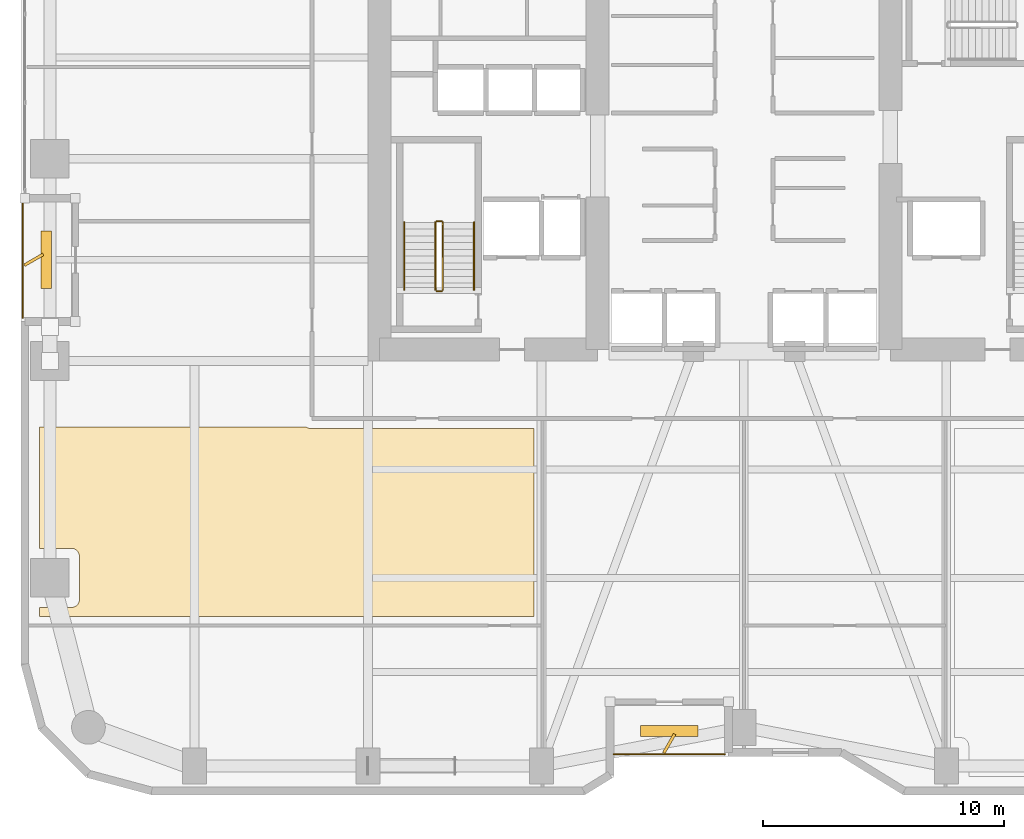
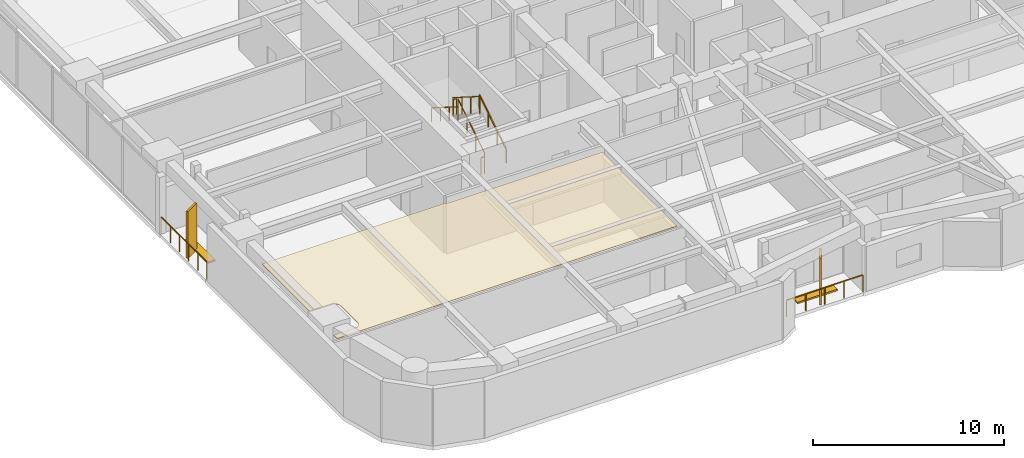
# One storey, part 26 of 28: 8 railings, 4 shading devices, 1 covering.
"""IFC4 building model written with IfcOpenShell, lengths in metres."""

from ifc_helpers import new_model, si_unit, direction, frame, origin, origin_2d, place, context, subcontext, project, spatial, polyline, rectangle, outline, extrude, material, layer, layer_set, type_object, element, save


model = new_model("IFC4")

# Units and contexts
model_context = context("Model", 3, precision=1e-05, world=origin(), true_north=direction((0.0, 1.0)))
body_context = subcontext(model_context, "Body", "Model", "MODEL_VIEW")
ifc_project = project(units=[si_unit("LENGTHUNIT", "METRE"), si_unit("AREAUNIT", "SQUARE_METRE"), si_unit("VOLUMEUNIT", "CUBIC_METRE"), si_unit("PLANEANGLEUNIT", "RADIAN"), si_unit("MASSUNIT", "GRAM", prefix="KILO")], contexts=[model_context])

# Site, building, storey
site_placement = place(None, origin())
site = spatial("IfcSite", under=ifc_project, at=site_placement, CompositionType="ELEMENT")
building_placement = place(site_placement, origin())
building = spatial("IfcBuilding", under=site, at=building_placement, Name="Kiyonajd Concourse Tower", CompositionType="ELEMENT")
storey_placement = place(building_placement, frame((0.0, 0.0, 41.10009765625)))
storey = spatial("IfcBuildingStorey", under=building, at=storey_placement, Name="L11", CompositionType="ELEMENT", Elevation=41.10009765625)

# Covering
ifc_material_1 = material(Name="Natural Oak Acoustic Timber Veneer", Category="wood")
ifc_layer = layer(ifc_material_1, 0.0400390625)
ifc_layer_set = layer_set([ifc_layer], Name="Natural Oak Acoustic Timber Veneer")
covering_type = type_object("IfcCoveringType", Name="CV-CLG-ACST", PredefinedType="CEILING", material=ifc_layer_set)
covering_placement = place(storey_placement, frame((0.0, 0.0, 3.4599609375)))
element("IfcCovering", 1, at=covering_placement, inside=storey, type_object=covering_type, Name="L11-42 Room Acoustic Ceiling", PredefinedType="CEILING", context=body_context, shape_type="SweptSolid", body=[
    extrude(outline(polyline([(29.826904296875, 24.8701171875), (29.882080078125, 24.8359375), (29.945068359375, 24.81005859375), (30.074951171875, 24.7900390625), (39.2900390625, 24.7900390625), (39.2900390625, 17.0), (18.77001953125, 17.0), (18.77001953125, 17.3701171875), (20.080078125, 17.3701171875), (20.14794921875, 17.376953125), (20.2451171875, 17.410888671875), (20.302001953125, 17.448974609375), (20.35107421875, 17.498046875), (20.388916015625, 17.554931640625), (20.4150390625, 17.617919921875), (20.429931640625, 17.719970703125), (20.429931640625, 19.47998046875), (20.4150390625, 19.58203125), (20.388916015625, 19.64501953125), (20.35107421875, 19.701904296875), (20.302001953125, 19.7509765625), (20.2451171875, 19.7890625), (20.181884765625, 19.81494140625), (20.114013671875, 19.827880859375), (18.77001953125, 19.830078125), (18.77001953125, 24.8701171875), (29.826904296875, 24.8701171875)])), origin(), (0.0, 0.0, 1.0), 0.0400390625),
])

# Railings
ifc_material_2 = material(Name="Thermally Broken Anodised Aluminium", Category="aluminium")
railing_type_1 = type_object("IfcRailingType", Name="RL-GRD-LOG", PredefinedType="GUARDRAIL", material=ifc_material_2)
railing_1_placement = place(storey_placement, frame((42.60009765625, 11.280029296875, 0.0)))
element("IfcRailing", 2, at=railing_1_placement, inside=storey, type_object=railing_type_1, Name="L11 Engawa Loggia Perimeter Guard LOG-S", PredefinedType="GUARDRAIL", context=body_context, shape_type="SweptSolid", body=[
    extrude(rectangle(XDim=0.048095703125, YDim=0.048095703125, at=origin_2d()), frame((0.0, 0.0, 1.076171875), z_axis=(1.0, 0.0, 0.0), x_axis=(0.0, 1.0, 0.0)), (0.0, 0.0, 1.0), 4.599853515625),
    extrude(rectangle(XDim=0.0419921875, YDim=0.0419921875, at=origin_2d()), origin(), (0.0, 0.0, 1.0), 1.052001953125),
    extrude(rectangle(XDim=0.0419921875, YDim=0.0419921875, at=origin_2d()), frame((1.14990234375, 0.0, 0.0)), (0.0, 0.0, 1.0), 1.052001953125),
    extrude(rectangle(XDim=0.0419921875, YDim=0.0419921875, at=origin_2d()), frame((2.2998046875, 0.0, 0.0)), (0.0, 0.0, 1.0), 1.052001953125),
    extrude(rectangle(XDim=0.0419921875, YDim=0.0419921875, at=origin_2d()), frame((3.449951171875, 0.0, 0.0)), (0.0, 0.0, 1.0), 1.052001953125),
    extrude(rectangle(XDim=0.0419921875, YDim=0.0419921875, at=origin_2d()), frame((4.599853515625, 0.0, 0.0)), (0.0, 0.0, 1.0), 1.052001953125),
])
railing_2_placement = place(storey_placement, frame((18.080078125, 34.199951171875, 0.0)))
element("IfcRailing", 3, at=railing_2_placement, inside=storey, type_object=railing_type_1, Name="L11 Engawa Loggia Perimeter Guard LOG-W", PredefinedType="GUARDRAIL", context=body_context, shape_type="SweptSolid", body=[
    extrude(rectangle(XDim=0.048095703125, YDim=0.048095703125, at=origin_2d()), frame((0.0, 0.0, 1.076171875), z_axis=(0.0, -1.0, 0.0), x_axis=(1.0, 0.0, 0.0)), (0.0, 0.0, 1.0), 4.800048828125),
    extrude(rectangle(XDim=0.0419921875, YDim=0.0419921875, at=origin_2d()), origin(), (0.0, 0.0, 1.0), 1.052001953125),
    extrude(rectangle(XDim=0.0419921875, YDim=0.0419921875, at=origin_2d()), frame((0.0, -0.9599609375, 0.0)), (0.0, 0.0, 1.0), 1.052001953125),
    extrude(rectangle(XDim=0.0419921875, YDim=0.0419921875, at=origin_2d()), frame((0.0, -1.919921875, 0.0)), (0.0, 0.0, 1.0), 1.052001953125),
    extrude(rectangle(XDim=0.0419921875, YDim=0.0419921875, at=origin_2d()), frame((0.0, -2.880126953125, 0.0)), (0.0, 0.0, 1.0), 1.052001953125),
    extrude(rectangle(XDim=0.0419921875, YDim=0.0419921875, at=origin_2d()), frame((0.0, -3.840087890625, 0.0)), (0.0, 0.0, 1.0), 1.052001953125),
    extrude(rectangle(XDim=0.0419921875, YDim=0.0419921875, at=origin_2d()), frame((0.0, -4.800048828125, 0.0)), (0.0, 0.0, 1.0), 1.052001953125),
])
ifc_material_3 = material(Name="Steel ASTM A500 Grade C", Category="steel")
railing_type_2 = type_object("IfcRailingType", Name="RL-GRD-STR", PredefinedType="GUARDRAIL", material=ifc_material_3)
railing_3_placement = place(storey_placement, frame((35.5, 30.550048828125, 0.17724609375)))
element("IfcRailing", 4, at=railing_3_placement, inside=storey, type_object=railing_type_2, Name="L11 ST1 stair guard 1", PredefinedType="GUARDRAIL", context=body_context, shape_type="SweptSolid", body=[
    extrude(rectangle(XDim=0.048095703125, YDim=0.048095703125, at=origin_2d()), frame((0.0, 0.0, 1.076171875), z_axis=(0.0, 0.844908973607, 0.534910110503), x_axis=(-1.0, 0.0, 0.0)), (0.0, 0.0, 1.0), 3.31396484375),
    extrude(rectangle(XDim=0.0419921875, YDim=0.0419921875, at=origin_2d()), origin(), (0.0, 0.0, 1.0), 1.052001953125),
    extrude(rectangle(XDim=0.0419921875, YDim=0.0419921875, at=origin_2d()), frame((0.0, 0.933349609375, 0.5908203125)), (0.0, 0.0, 1.0), 1.052001953125),
    extrude(rectangle(XDim=0.0419921875, YDim=0.0419921875, at=origin_2d()), frame((0.0, 1.86669921875, 1.181884765625)), (0.0, 0.0, 1.0), 1.052001953125),
    extrude(rectangle(XDim=0.0419921875, YDim=0.0419921875, at=origin_2d()), frame((0.0, 2.800048828125, 1.772705078125)), (0.0, 0.0, 1.0), 1.052001953125),
])
railing_4_placement = place(storey_placement, frame((35.449951171875, 33.39990234375, 1.949951171875)))
element("IfcRailing", 5, at=railing_4_placement, inside=storey, type_object=railing_type_2, Name="L11 ST1 stair guard 2", PredefinedType="GUARDRAIL", context=body_context, shape_type="SweptSolid", body=[
    extrude(rectangle(XDim=0.048095703125, YDim=0.048095703125, at=origin_2d()), frame((0.0, 0.0, 1.076171875), z_axis=(-1.0, 0.0, 0.0), x_axis=(0.0, -1.0, 0.0)), (0.0, 0.0, 1.0), 0.199951171875),
    extrude(rectangle(XDim=0.0419921875, YDim=0.0419921875, at=origin_2d()), origin(), (0.0, 0.0, 1.0), 1.052001953125),
    extrude(rectangle(XDim=0.0419921875, YDim=0.0419921875, at=origin_2d()), frame((-0.199951171875, 0.0, 0.0)), (0.0, 0.0, 1.0), 1.052001953125),
])
railing_5_placement = place(storey_placement, frame((35.199951171875, 33.35009765625, 2.127197265625)))
element("IfcRailing", 6, at=railing_5_placement, inside=storey, type_object=railing_type_2, Name="L11 ST1 stair guard 3", PredefinedType="GUARDRAIL", context=body_context, shape_type="SweptSolid", body=[
    extrude(rectangle(XDim=0.048095703125, YDim=0.048095703125, at=origin_2d()), frame((0.0, 0.0, 1.076171875), z_axis=(0.0, -0.844908973607, 0.534910110503), x_axis=(1.0, 0.0, 0.0)), (0.0, 0.0, 1.0), 3.31396484375),
    extrude(rectangle(XDim=0.0419921875, YDim=0.0419921875, at=origin_2d()), origin(), (0.0, 0.0, 1.0), 1.052001953125),
    extrude(rectangle(XDim=0.0419921875, YDim=0.0419921875, at=origin_2d()), frame((0.0, -0.933349609375, 0.5908203125)), (0.0, 0.0, 1.0), 1.052001953125),
    extrude(rectangle(XDim=0.0419921875, YDim=0.0419921875, at=origin_2d()), frame((0.0, -1.86669921875, 1.181884765625)), (0.0, 0.0, 1.0), 1.052001953125),
    extrude(rectangle(XDim=0.0419921875, YDim=0.0419921875, at=origin_2d()), frame((0.0, -2.800048828125, 1.772705078125)), (0.0, 0.0, 1.0), 1.052001953125),
])
railing_6_placement = place(storey_placement, frame((35.449951171875, 30.5, 0.0)))
element("IfcRailing", 7, at=railing_6_placement, inside=storey, type_object=railing_type_2, Name="L11 ST1 stair guard 4", PredefinedType="GUARDRAIL", context=body_context, shape_type="SweptSolid", body=[
    extrude(rectangle(XDim=0.048095703125, YDim=0.048095703125, at=origin_2d()), frame((0.0, 0.0, 1.076171875), z_axis=(-1.0, 0.0, 0.0), x_axis=(0.0, -1.0, 0.0)), (0.0, 0.0, 1.0), 0.199951171875),
    extrude(rectangle(XDim=0.0419921875, YDim=0.0419921875, at=origin_2d()), origin(), (0.0, 0.0, 1.0), 1.052001953125),
    extrude(rectangle(XDim=0.0419921875, YDim=0.0419921875, at=origin_2d()), frame((-0.199951171875, 0.0, 0.0)), (0.0, 0.0, 1.0), 1.052001953125),
])
ifc_material_4 = material(Name="Brushed Stainless Steel Cab Assembly", Category="steel")
railing_type_3 = type_object("IfcRailingType", Name="RL-HND-900", PredefinedType="HANDRAIL", material=ifc_material_4)
railing_7_placement = place(storey_placement, frame((36.800048828125, 30.550048828125, 0.17724609375)))
element("IfcRailing", 8, at=railing_7_placement, inside=storey, type_object=railing_type_3, Name="L11 ST1 stair handrail 1", PredefinedType="HANDRAIL", context=body_context, shape_type="SweptSolid", body=[
    extrude(rectangle(XDim=0.048095703125, YDim=0.048095703125, at=origin_2d()), frame((0.0, 0.0, 0.8759765625), z_axis=(0.0, 0.844908973607, 0.534910110503), x_axis=(-1.0, 0.0, 0.0)), (0.0, 0.0, 1.0), 3.31396484375),
    extrude(rectangle(XDim=0.0419921875, YDim=0.0419921875, at=origin_2d()), origin(), (0.0, 0.0, 1.0), 0.851806640625),
    extrude(rectangle(XDim=0.0419921875, YDim=0.0419921875, at=origin_2d()), frame((0.0, 0.933349609375, 0.5908203125)), (0.0, 0.0, 1.0), 0.851806640625),
    extrude(rectangle(XDim=0.0419921875, YDim=0.0419921875, at=origin_2d()), frame((0.0, 1.86669921875, 1.181884765625)), (0.0, 0.0, 1.0), 0.851806640625),
    extrude(rectangle(XDim=0.0419921875, YDim=0.0419921875, at=origin_2d()), frame((0.0, 2.800048828125, 1.772705078125)), (0.0, 0.0, 1.0), 0.851806640625),
])
railing_8_placement = place(storey_placement, frame((33.89990234375, 33.35009765625, 2.127197265625)))
element("IfcRailing", 9, at=railing_8_placement, inside=storey, type_object=railing_type_3, Name="L11 ST1 stair handrail 2", PredefinedType="HANDRAIL", context=body_context, shape_type="SweptSolid", body=[
    extrude(rectangle(XDim=0.048095703125, YDim=0.048095703125, at=origin_2d()), frame((0.0, 0.0, 0.8759765625), z_axis=(0.0, -0.844908973607, 0.534910110503), x_axis=(1.0, 0.0, 0.0)), (0.0, 0.0, 1.0), 3.31396484375),
    extrude(rectangle(XDim=0.0419921875, YDim=0.0419921875, at=origin_2d()), origin(), (0.0, 0.0, 1.0), 0.851806640625),
    extrude(rectangle(XDim=0.0419921875, YDim=0.0419921875, at=origin_2d()), frame((0.0, -0.933349609375, 0.5908203125)), (0.0, 0.0, 1.0), 0.851806640625),
    extrude(rectangle(XDim=0.0419921875, YDim=0.0419921875, at=origin_2d()), frame((0.0, -1.86669921875, 1.181884765625)), (0.0, 0.0, 1.0), 0.851806640625),
    extrude(rectangle(XDim=0.0419921875, YDim=0.0419921875, at=origin_2d()), frame((0.0, -2.800048828125, 1.772705078125)), (0.0, 0.0, 1.0), 0.851806640625),
])

# Shading devices
ifc_material_5 = material(Name="Precast concrete C50/60", Category="concrete")
shading_device_type_1 = type_object("IfcShadingDeviceType", Name="SH-FIN-900", PredefinedType="USERDEFINED", material=ifc_material_5)
for number, where, z_axis, x_axis, name in (
    (10, (44.89990234375, 11.72998046875, 0.0), (0.0, 0.0, 1.0), (0.5, 0.866025403784, 0.0), "L11 Angled Koshi Solar Fin LOG-S"),
    (11, (18.530029296875, 31.800048828125, 0.0), (0.0, 0.0, 1.0), (0.866025403784, 0.5, 0.0), "L11 Angled Koshi Solar Fin LOG-W"),
):
    element("IfcShadingDevice", number, at=place(storey_placement, frame(where, z_axis=z_axis, x_axis=x_axis)), inside=storey, type_object=shading_device_type_1, Name=name, ObjectType="FIN", PredefinedType="USERDEFINED", context=body_context, shape_type="SweptSolid", body=[
        extrude(rectangle(XDim=0.89990234375, YDim=0.1201171875, at=origin_2d()), origin(), (0.0, 0.0, 1.0), 3.0),
    ])
shading_device_type_2 = type_object("IfcShadingDeviceType", Name="SH-LVR-600", PredefinedType="JALOUSIE", material=ifc_material_2)
for number, where, z_axis, x_axis, name in (
    (12, (44.89990234375, 12.25, -0.000244140625), (0.0, 0.0, 1.0), (1.0, 0.0, 0.0), "L11 Loggia Threshold Louver LOG-S"),
    (13, (19.050048828125, 31.800048828125, -0.000244140625), (0.0, 0.0, 1.0), (0.0, 1.0, 0.0), "L11 Loggia Threshold Louver LOG-W"),
):
    element("IfcShadingDevice", number, at=place(storey_placement, frame(where, z_axis=z_axis, x_axis=x_axis)), inside=storey, type_object=shading_device_type_2, Name=name, PredefinedType="JALOUSIE", context=body_context, shape_type="SweptSolid", body=[
        extrude(rectangle(XDim=2.39990234375, YDim=0.449951171875, at=origin_2d()), origin(), (0.0, 0.0, 1.0), 0.10009765625),
    ])

save(model, "model.ifc")
